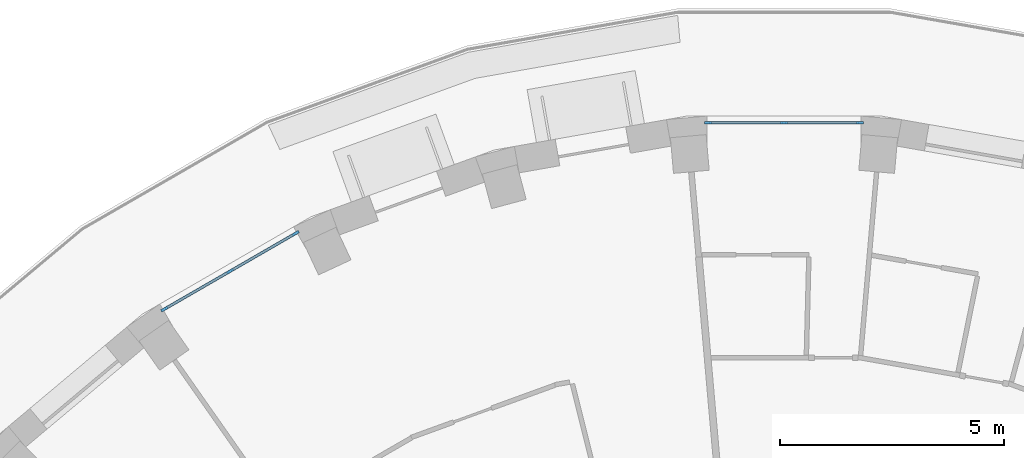
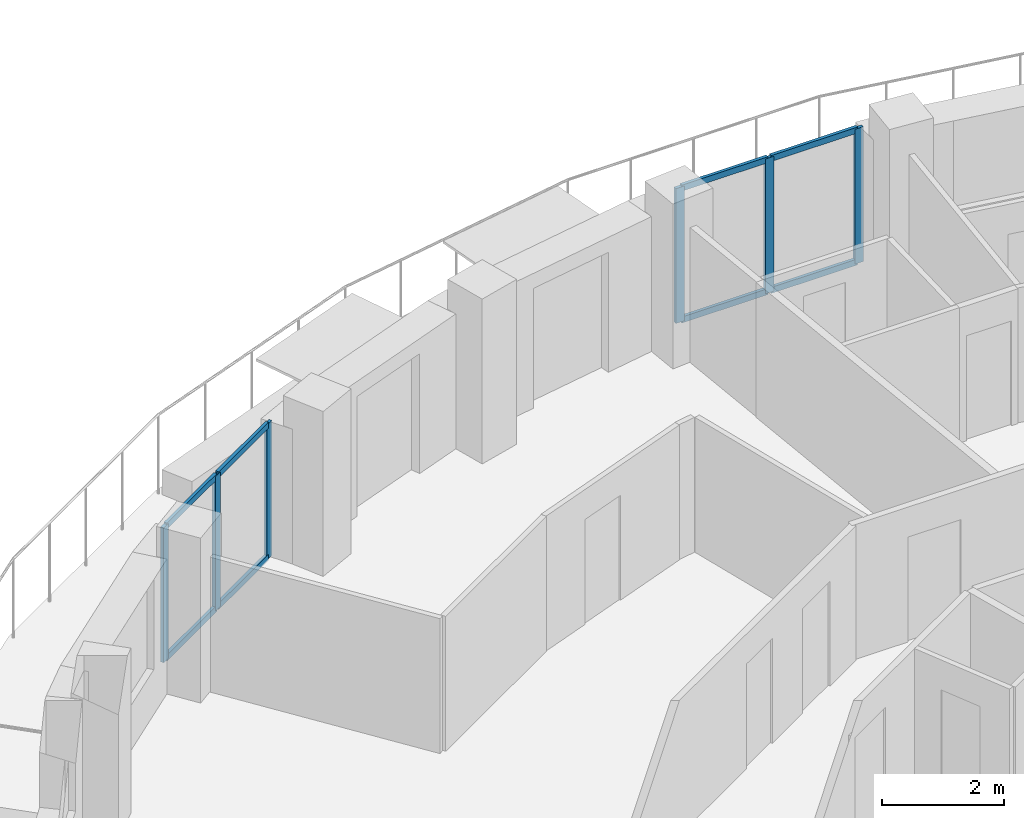
# One storey, part 2 of 14: 14 members, 2 elements without a shape of their own.
"""IFC4 building model written with IfcOpenShell, lengths in metres."""

from ifc_helpers import new_model, si_unit, direction, frame, origin, origin_2d, place, context, subcontext, project, spatial, rectangle, extrude, material, layer, layer_set, material_profile, profile_set, type_object, element, aggregate, save


model = new_model("IFC4")

# Units and contexts
model_context = context("Model", 3, precision=1e-05, world=origin(), true_north=direction((0.0, 1.0)))
body_context = subcontext(model_context, "Body", "Model", "MODEL_VIEW")
ifc_project = project(units=[si_unit("LENGTHUNIT", "METRE"), si_unit("AREAUNIT", "SQUARE_METRE"), si_unit("VOLUMEUNIT", "CUBIC_METRE"), si_unit("PLANEANGLEUNIT", "RADIAN"), si_unit("MASSUNIT", "GRAM", prefix="KILO")], contexts=[model_context])

# Site, building, storey
site_placement = place(None, origin())
site = spatial("IfcSite", under=ifc_project, at=site_placement, CompositionType="ELEMENT")
building_placement = place(site_placement, origin())
building = spatial("IfcBuilding", under=site, at=building_placement, Name="Saqina Gate Tower", CompositionType="ELEMENT")
storey_placement = place(building_placement, frame((0.0, 0.0, 216.89990234375)))
storey = spatial("IfcBuildingStorey", under=building, at=storey_placement, Name="L62", CompositionType="ELEMENT", Elevation=216.89990234375)

# Curtain wall, members
ifc_material_1 = material(Name="Aluminium glazing", Category="aluminium")
ifc_layer = layer(ifc_material_1, 0.159912109375)
ifc_layer_set = layer_set([ifc_layer], Name="CWT-4")
curtain_wall_type = type_object("IfcCurtainWallType", Name="CWT-4", PredefinedType="NOTDEFINED", material=ifc_layer_set)
curtain_wall_1_placement = place(storey_placement, origin())
curtain_wall_1 = element("IfcCurtainWall", 1, at=curtain_wall_1_placement, inside=storey, type_object=curtain_wall_type, Name="Terrace lounge glazing facet 9", PredefinedType="NOTDEFINED")
ifc_material_2 = material(Name="Aluminium", Category="aluminium")
ifc_material_profile_1 = material_profile(ifc_material_2, rectangle(XDim=0.06005859375, YDim=0.159912109375, at=origin_2d()), Name="Aluminium 60x160")
ifc_profile_set_1 = profile_set([ifc_material_profile_1], Name="Aluminium")
member_type_1 = type_object("IfcMemberType", Name="CWT-4M", PredefinedType="MULLION", material=ifc_profile_set_1)
member_1_placement = place(storey_placement, frame((1.69482421875, 24.7548828125, 0.0), z_axis=(0.0, 0.0, 1.0), x_axis=(0.0, -1.0, 0.0)))
member_1 = element("IfcMember", 2, at=member_1_placement, type_object=member_type_1, Name="CW4-09 mullion 1", PredefinedType="MULLION", context=body_context, shape_type="SweptSolid", body=[
    extrude(rectangle(XDim=0.06005859375, YDim=0.159912109375, at=origin_2d()), origin(), (0.0, 0.0, 1.0), 2.7001953125),
])
member_2_placement = place(storey_placement, frame((0.0, 24.7548828125, 0.0), z_axis=(0.0, 0.0, 1.0), x_axis=(0.0, -1.0, 0.0)))
member_2 = element("IfcMember", 3, at=member_2_placement, type_object=member_type_1, Name="CW4-09 mullion 2", PredefinedType="MULLION", context=body_context, shape_type="SweptSolid", body=[
    extrude(rectangle(XDim=0.06005859375, YDim=0.159912109375, at=origin_2d()), origin(), (0.0, 0.0, 1.0), 2.7001953125),
])
member_3_placement = place(storey_placement, frame((-1.69482421875, 24.7548828125, 0.0), z_axis=(0.0, 0.0, 1.0), x_axis=(0.0, -1.0, 0.0)))
member_3 = element("IfcMember", 4, at=member_3_placement, type_object=member_type_1, Name="CW4-09 mullion 3", PredefinedType="MULLION", context=body_context, shape_type="SweptSolid", body=[
    extrude(rectangle(XDim=0.06005859375, YDim=0.159912109375, at=origin_2d()), origin(), (0.0, 0.0, 1.0), 2.7001953125),
])

curtain_wall_2_placement = place(storey_placement, origin())
curtain_wall_2 = element("IfcCurtainWall", 5, at=curtain_wall_2_placement, inside=storey, type_object=curtain_wall_type, Name="Terrace lounge glazing facet 12", PredefinedType="NOTDEFINED")
member_4_placement = place(storey_placement, frame((-10.90966796875, 22.285888671875, 0.0), z_axis=(0.0, 0.0, 1.0), x_axis=(0.500014364391, -0.866017110341, 0.0)))
member_4 = element("IfcMember", 6, at=member_4_placement, type_object=member_type_1, Name="CW4-12 mullion 1", PredefinedType="MULLION", context=body_context, shape_type="SweptSolid", body=[
    extrude(rectangle(XDim=0.06005859375, YDim=0.159912109375, at=origin_2d()), origin(), (0.0, 0.0, 1.0), 2.7001953125),
])
member_5_placement = place(storey_placement, frame((-12.37744140625, 21.438232421875, 0.0), z_axis=(0.0, 0.0, 1.0), x_axis=(0.500014364391, -0.866017110341, 0.0)))
member_5 = element("IfcMember", 7, at=member_5_placement, type_object=member_type_1, Name="CW4-12 mullion 2", PredefinedType="MULLION", context=body_context, shape_type="SweptSolid", body=[
    extrude(rectangle(XDim=0.06005859375, YDim=0.159912109375, at=origin_2d()), origin(), (0.0, 0.0, 1.0), 2.7001953125),
])
member_6_placement = place(storey_placement, frame((-13.84521484375, 20.5908203125, 0.0), z_axis=(0.0, 0.0, 1.0), x_axis=(0.500014364391, -0.866017110341, 0.0)))
member_6 = element("IfcMember", 8, at=member_6_placement, type_object=member_type_1, Name="CW4-12 mullion 3", PredefinedType="MULLION", context=body_context, shape_type="SweptSolid", body=[
    extrude(rectangle(XDim=0.06005859375, YDim=0.159912109375, at=origin_2d()), origin(), (0.0, 0.0, 1.0), 2.7001953125),
])

# Member
ifc_material_3 = material(Name="Aluminium", Category="aluminium")
ifc_material_profile_2 = material_profile(ifc_material_3, rectangle(XDim=0.06005859375, YDim=0.1201171875, at=origin_2d()), Name="Aluminium 60x120")
ifc_profile_set_2 = profile_set([ifc_material_profile_2], Name="Aluminium")
member_type_2 = type_object("IfcMemberType", Name="CWT-4T", PredefinedType="USERDEFINED", material=ifc_profile_set_2)
member_7_placement = place(storey_placement, frame((1.664794921875, 24.7548828125, 0.030029296875), z_axis=(-1.0, 0.0, 0.0), x_axis=(0.0, -1.0, 0.0)))
member_7 = element("IfcMember", 9, at=member_7_placement, type_object=member_type_2, Name="CW4-09 transom 1.1", ObjectType="TRANSOM", PredefinedType="USERDEFINED", context=body_context, shape_type="SweptSolid", body=[
    extrude(rectangle(XDim=0.06005859375, YDim=0.1201171875, at=origin_2d()), origin(), (0.0, 0.0, 1.0), 1.634765625),
])

member_8_placement = place(storey_placement, frame((1.664794921875, 24.7548828125, 2.670166015625), z_axis=(-1.0, 0.0, 0.0), x_axis=(0.0, -1.0, 0.0)))
member_8 = element("IfcMember", 10, at=member_8_placement, type_object=member_type_2, Name="CW4-09 transom 1.2", ObjectType="TRANSOM", PredefinedType="USERDEFINED", context=body_context, shape_type="SweptSolid", body=[
    extrude(rectangle(XDim=0.06005859375, YDim=0.1201171875, at=origin_2d()), origin(), (0.0, 0.0, 1.0), 1.634765625),
])

member_9_placement = place(storey_placement, frame((-0.030029296875, 24.7548828125, 0.030029296875), z_axis=(-1.0, 0.0, 0.0), x_axis=(0.0, -1.0, 0.0)))
member_9 = element("IfcMember", 11, at=member_9_placement, type_object=member_type_2, Name="CW4-09 transom 2.1", ObjectType="TRANSOM", PredefinedType="USERDEFINED", context=body_context, shape_type="SweptSolid", body=[
    extrude(rectangle(XDim=0.06005859375, YDim=0.1201171875, at=origin_2d()), origin(), (0.0, 0.0, 1.0), 1.634765625),
])

member_10_placement = place(storey_placement, frame((-0.030029296875, 24.7548828125, 2.670166015625), z_axis=(-1.0, 0.0, 0.0), x_axis=(0.0, -1.0, 0.0)))
member_10 = element("IfcMember", 12, at=member_10_placement, type_object=member_type_2, Name="CW4-09 transom 2.2", ObjectType="TRANSOM", PredefinedType="USERDEFINED", context=body_context, shape_type="SweptSolid", body=[
    extrude(rectangle(XDim=0.06005859375, YDim=0.1201171875, at=origin_2d()), origin(), (0.0, 0.0, 1.0), 1.634765625),
])

aggregate(curtain_wall_1, [member_1, member_2, member_3, member_7, member_8, member_9, member_10])

member_11_placement = place(storey_placement, frame((-10.935546875, 22.270751953125, 0.030029296875), z_axis=(-0.866066236526, -0.499929268946, 0.0), x_axis=(0.499929268946, -0.866066236526, 0.0)))
member_11 = element("IfcMember", 13, at=member_11_placement, type_object=member_type_2, Name="CW4-12 transom 1.1", ObjectType="TRANSOM", PredefinedType="USERDEFINED", context=body_context, shape_type="SweptSolid", body=[
    extrude(rectangle(XDim=0.06005859375, YDim=0.1201171875, at=origin_2d()), origin(), (0.0, 0.0, 1.0), 1.635009765625),
])

member_12_placement = place(storey_placement, frame((-10.935546875, 22.270751953125, 2.670166015625), z_axis=(-0.866066236526, -0.499929268946, 0.0), x_axis=(0.499929268946, -0.866066236526, 0.0)))
member_12 = element("IfcMember", 14, at=member_12_placement, type_object=member_type_2, Name="CW4-12 transom 1.2", ObjectType="TRANSOM", PredefinedType="USERDEFINED", context=body_context, shape_type="SweptSolid", body=[
    extrude(rectangle(XDim=0.06005859375, YDim=0.1201171875, at=origin_2d()), origin(), (0.0, 0.0, 1.0), 1.635009765625),
])

member_13_placement = place(storey_placement, frame((-12.4033203125, 21.42333984375, 0.030029296875), z_axis=(-0.866066236526, -0.499929268946, 0.0), x_axis=(0.499929268946, -0.866066236526, 0.0)))
member_13 = element("IfcMember", 15, at=member_13_placement, type_object=member_type_2, Name="CW4-12 transom 2.1", ObjectType="TRANSOM", PredefinedType="USERDEFINED", context=body_context, shape_type="SweptSolid", body=[
    extrude(rectangle(XDim=0.06005859375, YDim=0.1201171875, at=origin_2d()), origin(), (0.0, 0.0, 1.0), 1.635009765625),
])

member_14_placement = place(storey_placement, frame((-12.4033203125, 21.42333984375, 2.670166015625), z_axis=(-0.866066236526, -0.499929268946, 0.0), x_axis=(0.499929268946, -0.866066236526, 0.0)))
member_14 = element("IfcMember", 16, at=member_14_placement, type_object=member_type_2, Name="CW4-12 transom 2.2", ObjectType="TRANSOM", PredefinedType="USERDEFINED", context=body_context, shape_type="SweptSolid", body=[
    extrude(rectangle(XDim=0.06005859375, YDim=0.1201171875, at=origin_2d()), origin(), (0.0, 0.0, 1.0), 1.635009765625),
])

aggregate(curtain_wall_2, [member_4, member_5, member_6, member_11, member_12, member_13, member_14])

save(model, "model.ifc")
